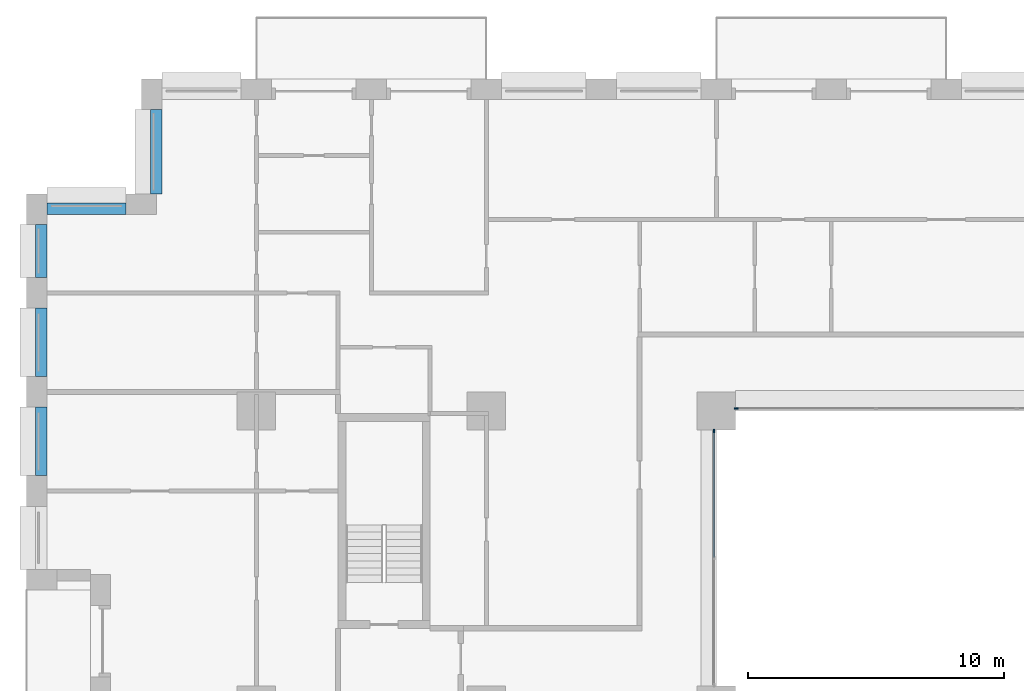
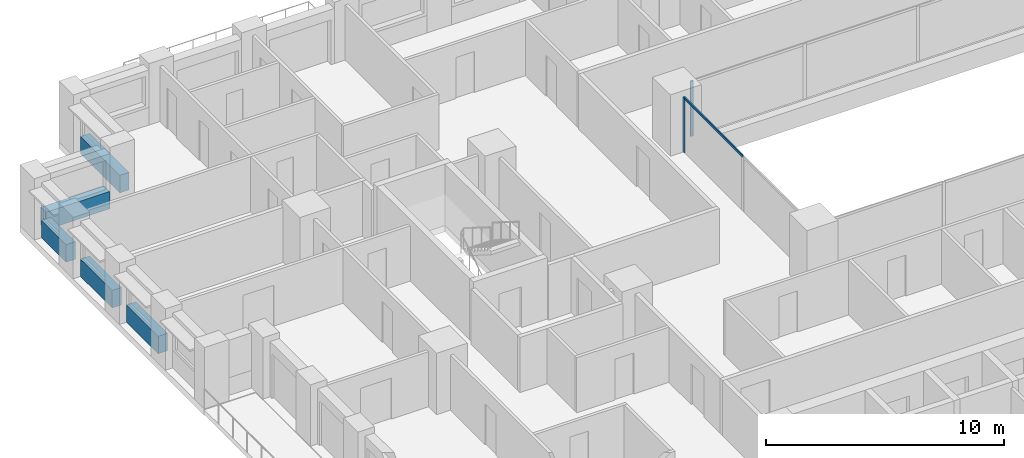
# One storey, part 5 of 20: 5 beams, 3 members, 2 elements without a shape of their own.
"""IFC4 building model written with IfcOpenShell, lengths in metres."""

from ifc_helpers import new_model, si_unit, direction, frame, origin, origin_2d, place, context, subcontext, project, spatial, rectangle, extrude, material, layer, layer_set, material_profile, profile_set, type_object, element, aggregate, save


model = new_model("IFC4")

# Units and contexts
model_context = context("Model", 3, precision=1e-05, world=origin(), true_north=direction((0.0, 1.0)))
body_context = subcontext(model_context, "Body", "Model", "MODEL_VIEW")
ifc_project = project(units=[si_unit("LENGTHUNIT", "METRE"), si_unit("AREAUNIT", "SQUARE_METRE"), si_unit("VOLUMEUNIT", "CUBIC_METRE"), si_unit("PLANEANGLEUNIT", "RADIAN"), si_unit("MASSUNIT", "GRAM", prefix="KILO")], contexts=[model_context])

# Site, building, storey
site_placement = place(None, origin())
site = spatial("IfcSite", under=ifc_project, at=site_placement, CompositionType="ELEMENT")
building_placement = place(site_placement, origin())
building = spatial("IfcBuilding", under=site, at=building_placement, Name="Brigalow Station Residences", CompositionType="ELEMENT")
storey_placement = place(building_placement, frame((0.0, 0.0, 60.449951171875)))
storey = spatial("IfcBuildingStorey", under=building, at=storey_placement, Name="L17", CompositionType="ELEMENT", Elevation=60.449951171875)

# Curtain wall, member
ifc_material_1 = material(Name="Aluminium", Category="aluminium")
ifc_layer = layer(ifc_material_1, 0.14990234375)
ifc_layer_set = layer_set([ifc_layer], Name="ATRIUM FIRE-RATED GLAZING CURTAIN WALL")
curtain_wall_type = type_object("IfcCurtainWallType", Name="ATRIUM FIRE-RATED GLAZING CURTAIN WALL", PredefinedType="NOTDEFINED", material=ifc_layer_set)
curtain_wall_1_placement = place(storey_placement, origin())
curtain_wall_1 = element("IfcCurtainWall", 1, at=curtain_wall_1_placement, inside=storey, type_object=curtain_wall_type, Name="L17/cw/atrium-N", PredefinedType="NOTDEFINED")
ifc_material_2 = material(Name="Aluminium", Category="aluminium")
ifc_material_profile_1 = material_profile(ifc_material_2, rectangle(XDim=0.06005859375, YDim=0.14990234375, at=origin_2d()), Name="ATRIUM FIRE-RATED GLAZING MULLION 60x150")
ifc_profile_set_1 = profile_set([ifc_material_profile_1], Name="Aluminium")
member_type_1 = type_object("IfcMemberType", Name="ATRIUM FIRE-RATED GLAZING MULLION 60x150", PredefinedType="MULLION", material=ifc_profile_set_1)
member_1_placement = place(storey_placement, frame((27.780029296875, 35.60009765625, 0.0), z_axis=(0.0, 0.0, 1.0), x_axis=(0.0, -1.0, 0.0)))
member_1 = element("IfcMember", 2, at=member_1_placement, type_object=member_type_1, Name="L17/cw/atrium-N/M03", PredefinedType="MULLION", context=body_context, shape_type="SweptSolid", body=[
    extrude(rectangle(XDim=0.06005859375, YDim=0.14990234375, at=origin_2d()), origin(), (0.0, 0.0, 1.0), 2.830078125),
])
aggregate(curtain_wall_1, [member_1])

# Curtain wall, members
curtain_wall_2_placement = place(storey_placement, origin())
curtain_wall_2 = element("IfcCurtainWall", 3, at=curtain_wall_2_placement, inside=storey, type_object=curtain_wall_type, Name="L17/cw/atrium-W", PredefinedType="NOTDEFINED")
member_2_placement = place(storey_placement, frame((26.89990234375, 34.719970703125, 0.0), z_axis=(0.0, 0.0, 1.0), x_axis=(1.0, 0.0, 0.0)))
member_2 = element("IfcMember", 4, at=member_2_placement, type_object=member_type_1, Name="L17/cw/atrium-W/M00", PredefinedType="MULLION", context=body_context, shape_type="SweptSolid", body=[
    extrude(rectangle(XDim=0.06005859375, YDim=0.14990234375, at=origin_2d()), origin(), (0.0, 0.0, 1.0), 2.830078125),
])
ifc_material_3 = material(Name="Aluminium", Category="aluminium")
ifc_material_profile_2 = material_profile(ifc_material_3, rectangle(XDim=0.06005859375, YDim=0.1201171875, at=origin_2d()), Name="ATRIUM FIRE-RATED GLAZING TRANSOM 60x120")
ifc_profile_set_2 = profile_set([ifc_material_profile_2], Name="Aluminium")
member_type_2 = type_object("IfcMemberType", Name="ATRIUM FIRE-RATED GLAZING TRANSOM 60x120", PredefinedType="USERDEFINED", material=ifc_profile_set_2)
member_3_placement = place(storey_placement, frame((26.89990234375, 34.68994140625, 2.800048828125), z_axis=(0.0, -1.0, 0.0), x_axis=(1.0, 0.0, 0.0)))
member_3 = element("IfcMember", 5, at=member_3_placement, type_object=member_type_2, Name="L17/cw/atrium-W/T00-00", ObjectType="TRANSOM", PredefinedType="USERDEFINED", context=body_context, shape_type="SweptSolid", body=[
    extrude(rectangle(XDim=0.06005859375, YDim=0.1201171875, at=origin_2d()), origin(), (0.0, 0.0, 1.0), 4.909912109375),
])
aggregate(curtain_wall_2, [member_2, member_3])

# Beams
ifc_material_4 = material(Name="Concrete C65", Category="concrete")
ifc_material_profile_3 = material_profile(ifc_material_4, rectangle(XDim=0.449951171875, YDim=0.89990234375, at=origin_2d()), Name="RC450x900")
ifc_profile_set_3 = profile_set([ifc_material_profile_3], Name="Concrete C65")
beam_type = type_object("IfcBeamType", Name="SPANDREL BEAM 450x900 C65", PredefinedType="SPANDREL", material=ifc_profile_set_3)
beam_1_placement = place(storey_placement, frame((5.074951171875, 47.300048828125, 0.449951171875), z_axis=(0.0, -1.0, 0.0), x_axis=(1.0, 0.0, 0.0)))
element("IfcBeam", 6, at=beam_1_placement, inside=storey, type_object=beam_type, Name="L17/spandrel/W-L17-40", PredefinedType="SPANDREL", context=body_context, shape_type="SweptSolid", body=[
    extrude(rectangle(XDim=0.449951171875, YDim=0.89990234375, at=origin_2d()), origin(), (0.0, 0.0, 1.0), 3.300048828125),
])
beam_2_placement = place(storey_placement, frame((3.89990234375, 43.425048828125, 0.449951171875), z_axis=(-1.0, 0.0, 0.0), x_axis=(0.0, -1.0, 0.0)))
element("IfcBeam", 7, at=beam_2_placement, inside=storey, type_object=beam_type, Name="L17/spandrel/W-L17-41", PredefinedType="SPANDREL", context=body_context, shape_type="SweptSolid", body=[
    extrude(rectangle(XDim=0.449951171875, YDim=0.89990234375, at=origin_2d()), origin(), (0.0, 0.0, 1.0), 3.099853515625),
])
beam_3_placement = place(storey_placement, frame((0.574951171875, 42.800048828125, 0.449951171875), z_axis=(0.0, -1.0, 0.0), x_axis=(1.0, 0.0, 0.0)))
element("IfcBeam", 8, at=beam_3_placement, inside=storey, type_object=beam_type, Name="L17/spandrel/W-L17-42", PredefinedType="SPANDREL", context=body_context, shape_type="SweptSolid", body=[
    extrude(rectangle(XDim=0.449951171875, YDim=0.89990234375, at=origin_2d()), origin(), (0.0, 0.0, 1.0), 2.074951171875),
])
for number, where, z_axis, x_axis, name in (
    (9, (0.574951171875, 39.52490234375, 0.449951171875), (0.0, -1.0, 0.0), (1.0, 0.0, 0.0), "L17/spandrel/W-L17-43"),
    (10, (0.574951171875, 35.64990234375, 0.449951171875), (0.0, -1.0, 0.0), (1.0, 0.0, 0.0), "L17/spandrel/W-L17-44"),
):
    element("IfcBeam", number, at=place(storey_placement, frame(where, z_axis=z_axis, x_axis=x_axis)), inside=storey, type_object=beam_type, Name=name, PredefinedType="SPANDREL", context=body_context, shape_type="SweptSolid", body=[
        extrude(rectangle(XDim=0.449951171875, YDim=0.89990234375, at=origin_2d()), origin(), (0.0, 0.0, 1.0), 2.6748046875),
    ])

save(model, "model.ifc")
